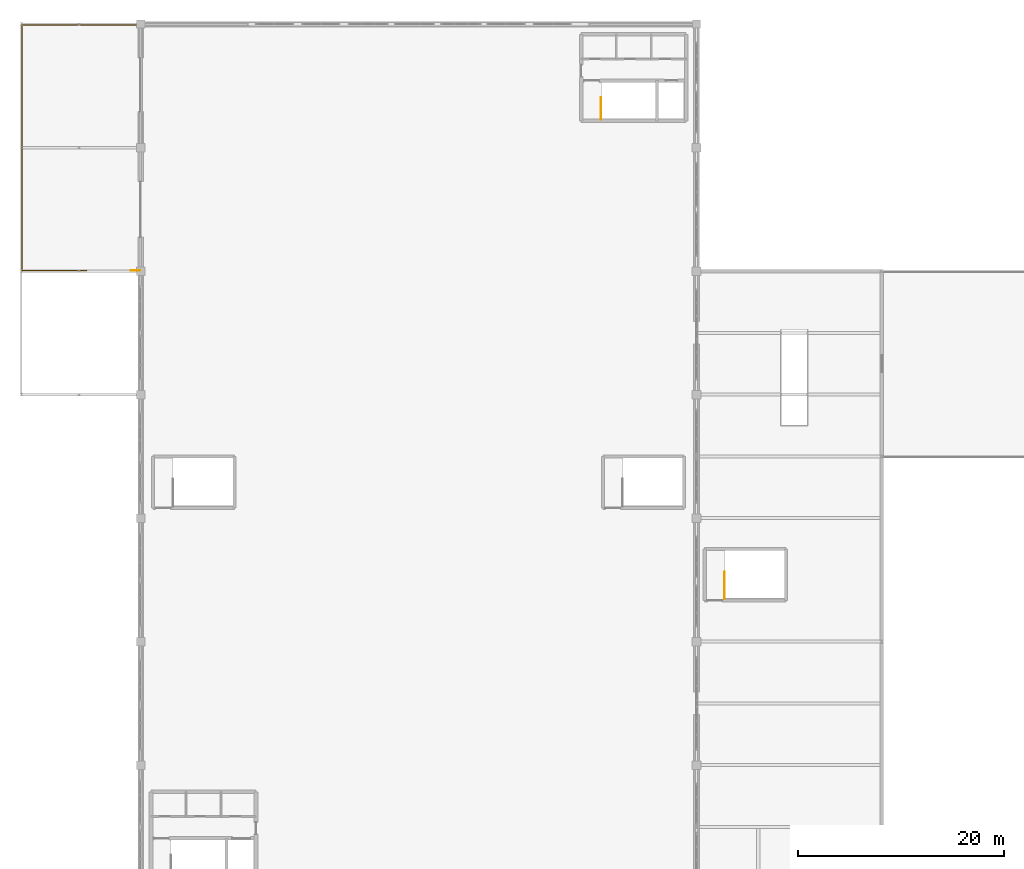
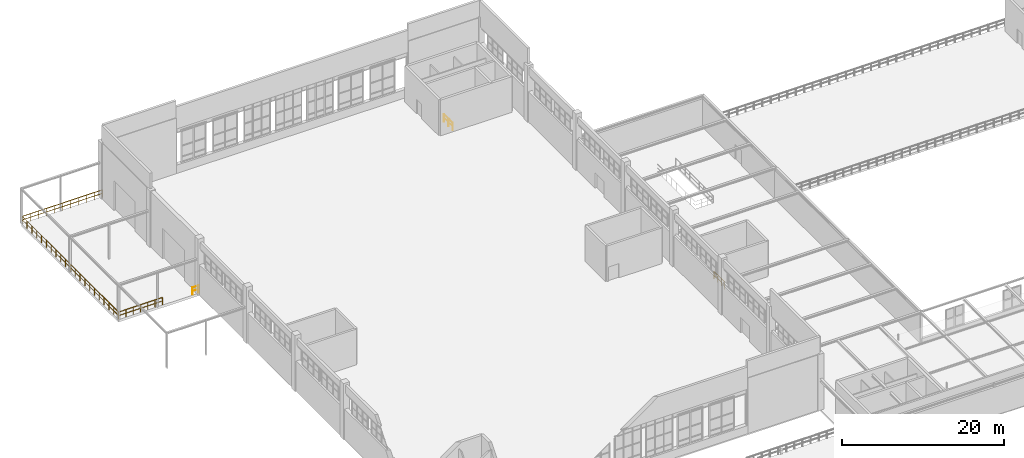
# One storey, part 93 of 97: 4 railings.
"""IFC4 building model written with IfcOpenShell, lengths in metres."""

from ifc_helpers import new_model, si_unit, derived_unit, direction, frame, origin, origin_2d, place, context, subcontext, project, spatial, circle, extrude, material, type_object, element, save


model = new_model("IFC4")

# Units and contexts
model_context = context("Model", 3, precision=1e-05, world=origin(), true_north=direction((0.0, 1.0)))
body_context = subcontext(model_context, "Body", "Model", "MODEL_VIEW")
ifc_project = project(units=[si_unit("LENGTHUNIT", "METRE"), si_unit("AREAUNIT", "SQUARE_METRE"), si_unit("VOLUMEUNIT", "CUBIC_METRE"), si_unit("PLANEANGLEUNIT", "RADIAN"), si_unit("MASSUNIT", "GRAM", prefix="KILO"), derived_unit("THERMALTRANSMITTANCEUNIT", [(si_unit("POWERUNIT", "WATT"), 1), (si_unit("LENGTHUNIT", "METRE"), -2), (si_unit("THERMODYNAMICTEMPERATUREUNIT", "KELVIN"), -1)])], contexts=[model_context])

# Site, building, storey
site_placement = place(None, origin())
site = spatial("IfcSite", under=ifc_project, at=site_placement, CompositionType="ELEMENT")
building_placement = place(site_placement, origin())
building = spatial("IfcBuilding", under=site, at=building_placement, Name="Almenara Railside Exhibition Hall", CompositionType="ELEMENT")
storey_placement = place(building_placement, frame((0.0, 0.0, 10.800048828125)))
storey = spatial("IfcBuildingStorey", under=building, at=storey_placement, Name="L02", CompositionType="ELEMENT", Elevation=10.800048828125)

# Railings
ifc_material_1 = material(Name="Dark wrought-iron stair balustrade")
railing_type_1 = type_object("IfcRailingType", Name="Stair Well Guard Rail 1120mm", PredefinedType="BALUSTRADE", material=ifc_material_1)
railing_1_placement = place(storey_placement, frame((56.719970703125, 122.739990234375, 0.0)))
element("IfcRailing", 1, at=railing_1_placement, inside=storey, type_object=railing_type_1, Name="SG-L02-0016", PredefinedType="BALUSTRADE", context=body_context, shape_type="SweptSolid", body=[
    extrude(circle(Radius=0.02392578125, at=origin_2d()), frame((0.0, 0.0, 1.09619140625), z_axis=(0.0, 1.0, 0.0), x_axis=(-1.0, 0.0, 0.0)), (0.0, 0.0, 1.0), 2.130126953125),
    extrude(circle(Radius=0.01416015625, at=origin_2d()), frame((0.0, 0.0, 0.56005859375), z_axis=(0.0, 1.0, 0.0), x_axis=(-1.0, 0.0, 0.0)), (0.0, 0.0, 1.0), 2.130126953125),
    extrude(circle(Radius=0.02099609375, at=origin_2d()), origin(), (0.0, 0.0, 1.0), 1.072021484375),
    extrude(circle(Radius=0.02099609375, at=origin_2d()), frame((0.0, 1.06494140625, 0.0)), (0.0, 0.0, 1.0), 1.072021484375),
    extrude(circle(Radius=0.02099609375, at=origin_2d()), frame((0.0, 2.130126953125, 0.0)), (0.0, 0.0, 1.0), 1.072021484375),
])
railing_2_placement = place(storey_placement, frame((68.719970703125, 76.139892578125, 0.0)))
element("IfcRailing", 2, at=railing_2_placement, inside=storey, type_object=railing_type_1, Name="SG-L02-0108", PredefinedType="BALUSTRADE", context=body_context, shape_type="SweptSolid", body=[
    extrude(circle(Radius=0.02392578125, at=origin_2d()), frame((0.0, 0.0, 1.09619140625), z_axis=(0.0, 1.0, 0.0), x_axis=(-1.0, 0.0, 0.0)), (0.0, 0.0, 1.0), 2.650146484375),
    extrude(circle(Radius=0.01416015625, at=origin_2d()), frame((0.0, 0.0, 0.56005859375), z_axis=(0.0, 1.0, 0.0), x_axis=(-1.0, 0.0, 0.0)), (0.0, 0.0, 1.0), 2.650146484375),
    extrude(circle(Radius=0.02099609375, at=origin_2d()), origin(), (0.0, 0.0, 1.0), 1.072021484375),
    extrude(circle(Radius=0.02099609375, at=origin_2d()), frame((0.0, 0.88330078125, 0.0)), (0.0, 0.0, 1.0), 1.072021484375),
    extrude(circle(Radius=0.02099609375, at=origin_2d()), frame((0.0, 1.766845703125, 0.0)), (0.0, 0.0, 1.0), 1.072021484375),
    extrude(circle(Radius=0.02099609375, at=origin_2d()), frame((0.0, 2.650146484375, 0.0)), (0.0, 0.0, 1.0), 1.072021484375),
])
ifc_material_2 = material(Name="Dark wrought-iron architectural balustrade")
railing_type_2 = type_object("IfcRailingType", Name="Wrought-Iron Rejas Terrace Balustrade 1120mm", PredefinedType="BALUSTRADE", material=ifc_material_2)
railing_3_placement = place(storey_placement, frame((6.75, 108.080078125, 0.0)))
element("IfcRailing", 3, at=railing_3_placement, inside=storey, type_object=railing_type_2, Name="Guard balustrade 0004", PredefinedType="BALUSTRADE", context=body_context, shape_type="SweptSolid", body=[
    extrude(circle(Radius=0.02392578125, at=origin_2d()), frame((0.0, 0.0, 1.09619140625), z_axis=(-1.0, 0.0, 0.0), x_axis=(0.0, -1.0, 0.0)), (0.0, 0.0, 1.0), 6.27001953125),
    extrude(circle(Radius=0.01416015625, at=origin_2d()), frame((0.0, 0.0, 0.56005859375), z_axis=(-1.0, 0.0, 0.0), x_axis=(0.0, -1.0, 0.0)), (0.0, 0.0, 1.0), 6.27001953125),
    extrude(circle(Radius=0.02392578125, at=origin_2d()), frame((-6.27001953125, 0.0, 1.09619140625), z_axis=(0.0, 1.0, 0.0), x_axis=(-1.0, 0.0, 0.0)), (0.0, 0.0, 1.0), 23.83984375),
    extrude(circle(Radius=0.01416015625, at=origin_2d()), frame((-6.27001953125, 0.0, 0.56005859375), z_axis=(0.0, 1.0, 0.0), x_axis=(-1.0, 0.0, 0.0)), (0.0, 0.0, 1.0), 23.83984375),
    extrude(circle(Radius=0.02392578125, at=origin_2d()), frame((-6.27001953125, 23.83984375, 1.09619140625), z_axis=(1.0, 0.0, 0.0), x_axis=(0.0, 1.0, 0.0)), (0.0, 0.0, 1.0), 11.43994140625),
    extrude(circle(Radius=0.01416015625, at=origin_2d()), frame((-6.27001953125, 23.83984375, 0.56005859375), z_axis=(1.0, 0.0, 0.0), x_axis=(0.0, 1.0, 0.0)), (0.0, 0.0, 1.0), 11.43994140625),
    extrude(circle(Radius=0.02099609375, at=origin_2d()), origin(), (0.0, 0.0, 1.0), 1.072021484375),
    extrude(circle(Radius=0.02099609375, at=origin_2d()), frame((-1.044921875, 0.0, 0.0)), (0.0, 0.0, 1.0), 1.072021484375),
    extrude(circle(Radius=0.02099609375, at=origin_2d()), frame((-2.090087890625, 0.0, 0.0)), (0.0, 0.0, 1.0), 1.072021484375),
    extrude(circle(Radius=0.02099609375, at=origin_2d()), frame((-3.135009765625, 0.0, 0.0)), (0.0, 0.0, 1.0), 1.072021484375),
    extrude(circle(Radius=0.02099609375, at=origin_2d()), frame((-4.179931640625, 0.0, 0.0)), (0.0, 0.0, 1.0), 1.072021484375),
    extrude(circle(Radius=0.02099609375, at=origin_2d()), frame((-5.22509765625, 0.0, 0.0)), (0.0, 0.0, 1.0), 1.072021484375),
    extrude(circle(Radius=0.02099609375, at=origin_2d()), frame((-6.27001953125, 0.0, 0.0)), (0.0, 0.0, 1.0), 1.072021484375),
    extrude(circle(Radius=0.02099609375, at=origin_2d()), frame((-6.27001953125, 1.19189453125, 0.0)), (0.0, 0.0, 1.0), 1.072021484375),
    extrude(circle(Radius=0.02099609375, at=origin_2d()), frame((-6.27001953125, 2.384033203125, 0.0)), (0.0, 0.0, 1.0), 1.072021484375),
    extrude(circle(Radius=0.02099609375, at=origin_2d()), frame((-6.27001953125, 3.575927734375, 0.0)), (0.0, 0.0, 1.0), 1.072021484375),
    extrude(circle(Radius=0.02099609375, at=origin_2d()), frame((-6.27001953125, 4.76806640625, 0.0)), (0.0, 0.0, 1.0), 1.072021484375),
    extrude(circle(Radius=0.02099609375, at=origin_2d()), frame((-6.27001953125, 5.9599609375, 0.0)), (0.0, 0.0, 1.0), 1.072021484375),
    extrude(circle(Radius=0.02099609375, at=origin_2d()), frame((-6.27001953125, 7.15185546875, 0.0)), (0.0, 0.0, 1.0), 1.072021484375),
    extrude(circle(Radius=0.02099609375, at=origin_2d()), frame((-6.27001953125, 8.343994140625, 0.0)), (0.0, 0.0, 1.0), 1.072021484375),
    extrude(circle(Radius=0.02099609375, at=origin_2d()), frame((-6.27001953125, 9.535888671875, 0.0)), (0.0, 0.0, 1.0), 1.072021484375),
    extrude(circle(Radius=0.02099609375, at=origin_2d()), frame((-6.27001953125, 10.72802734375, 0.0)), (0.0, 0.0, 1.0), 1.072021484375),
    extrude(circle(Radius=0.02099609375, at=origin_2d()), frame((-6.27001953125, 11.919921875, 0.0)), (0.0, 0.0, 1.0), 1.072021484375),
    extrude(circle(Radius=0.02099609375, at=origin_2d()), frame((-6.27001953125, 13.11181640625, 0.0)), (0.0, 0.0, 1.0), 1.072021484375),
    extrude(circle(Radius=0.02099609375, at=origin_2d()), frame((-6.27001953125, 14.303955078125, 0.0)), (0.0, 0.0, 1.0), 1.072021484375),
    extrude(circle(Radius=0.02099609375, at=origin_2d()), frame((-6.27001953125, 15.495849609375, 0.0)), (0.0, 0.0, 1.0), 1.072021484375),
    extrude(circle(Radius=0.02099609375, at=origin_2d()), frame((-6.27001953125, 16.68798828125, 0.0)), (0.0, 0.0, 1.0), 1.072021484375),
    extrude(circle(Radius=0.02099609375, at=origin_2d()), frame((-6.27001953125, 17.8798828125, 0.0)), (0.0, 0.0, 1.0), 1.072021484375),
    extrude(circle(Radius=0.02099609375, at=origin_2d()), frame((-6.27001953125, 19.07177734375, 0.0)), (0.0, 0.0, 1.0), 1.072021484375),
    extrude(circle(Radius=0.02099609375, at=origin_2d()), frame((-6.27001953125, 20.263916015625, 0.0)), (0.0, 0.0, 1.0), 1.072021484375),
    extrude(circle(Radius=0.02099609375, at=origin_2d()), frame((-6.27001953125, 21.455810546875, 0.0)), (0.0, 0.0, 1.0), 1.072021484375),
    extrude(circle(Radius=0.02099609375, at=origin_2d()), frame((-6.27001953125, 22.64794921875, 0.0)), (0.0, 0.0, 1.0), 1.072021484375),
    extrude(circle(Radius=0.02099609375, at=origin_2d()), frame((-6.27001953125, 23.83984375, 0.0)), (0.0, 0.0, 1.0), 1.072021484375),
    extrude(circle(Radius=0.02099609375, at=origin_2d()), frame((-5.1259765625, 23.83984375, 0.0)), (0.0, 0.0, 1.0), 1.072021484375),
    extrude(circle(Radius=0.02099609375, at=origin_2d()), frame((-3.98193359375, 23.83984375, 0.0)), (0.0, 0.0, 1.0), 1.072021484375),
    extrude(circle(Radius=0.02099609375, at=origin_2d()), frame((-2.838134765625, 23.83984375, 0.0)), (0.0, 0.0, 1.0), 1.072021484375),
    extrude(circle(Radius=0.02099609375, at=origin_2d()), frame((-1.694091796875, 23.83984375, 0.0)), (0.0, 0.0, 1.0), 1.072021484375),
    extrude(circle(Radius=0.02099609375, at=origin_2d()), frame((-0.550048828125, 23.83984375, 0.0)), (0.0, 0.0, 1.0), 1.072021484375),
    extrude(circle(Radius=0.02099609375, at=origin_2d()), frame((0.593994140625, 23.83984375, 0.0)), (0.0, 0.0, 1.0), 1.072021484375),
    extrude(circle(Radius=0.02099609375, at=origin_2d()), frame((1.738037109375, 23.83984375, 0.0)), (0.0, 0.0, 1.0), 1.072021484375),
    extrude(circle(Radius=0.02099609375, at=origin_2d()), frame((2.8818359375, 23.83984375, 0.0)), (0.0, 0.0, 1.0), 1.072021484375),
    extrude(circle(Radius=0.02099609375, at=origin_2d()), frame((4.02587890625, 23.83984375, 0.0)), (0.0, 0.0, 1.0), 1.072021484375),
    extrude(circle(Radius=0.02099609375, at=origin_2d()), frame((5.169921875, 23.83984375, 0.0)), (0.0, 0.0, 1.0), 1.072021484375),
])
railing_4_placement = place(storey_placement, frame((11.050048828125, 108.080078125, 0.0)))
element("IfcRailing", 4, at=railing_4_placement, inside=storey, type_object=railing_type_2, Name="Guard balustrade 0005", PredefinedType="BALUSTRADE", context=body_context, shape_type="SweptSolid", body=[
    extrude(circle(Radius=0.02392578125, at=origin_2d()), frame((0.0, 0.0, 1.09619140625), z_axis=(1.0, 0.0, 0.0), x_axis=(0.0, 1.0, 0.0)), (0.0, 0.0, 1.0), 0.869873046875),
    extrude(circle(Radius=0.01416015625, at=origin_2d()), frame((0.0, 0.0, 0.56005859375), z_axis=(1.0, 0.0, 0.0), x_axis=(0.0, 1.0, 0.0)), (0.0, 0.0, 1.0), 0.869873046875),
    extrude(circle(Radius=0.02099609375, at=origin_2d()), origin(), (0.0, 0.0, 1.0), 1.072021484375),
    extrude(circle(Radius=0.02099609375, at=origin_2d()), frame((0.869873046875, 0.0, 0.0)), (0.0, 0.0, 1.0), 1.072021484375),
])

save(model, "model.ifc")
